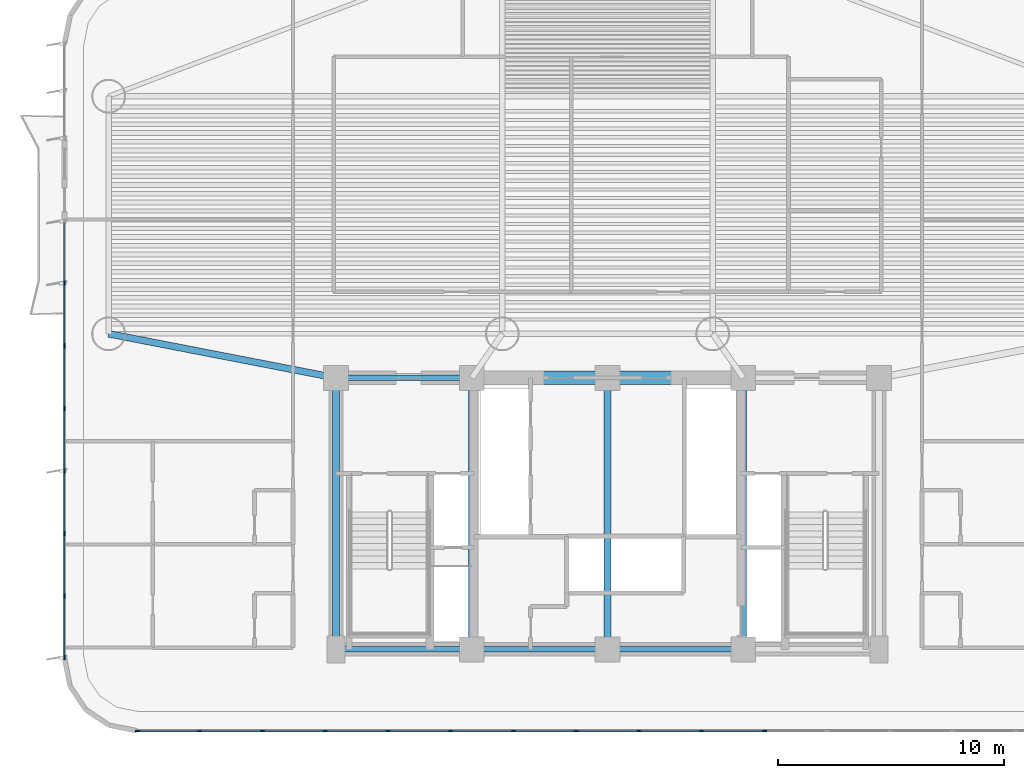
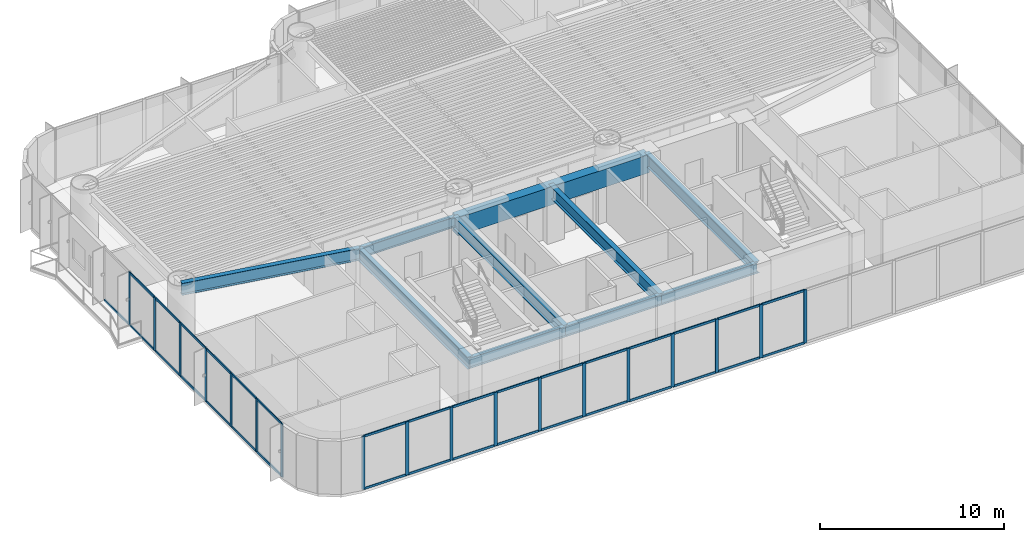
# One storey, part 2 of 17: 51 members, 10 beams, 2 elements without a shape of their own.
"""IFC4 building model written with IfcOpenShell, lengths in metres."""

from ifc_helpers import new_model, si_unit, direction, frame, origin, origin_2d, place, context, subcontext, project, spatial, rectangle, i_section, extrude, source, transform, mapped, material, layer, layer_set, material_profile, profile_set, type_object, element, aggregate, save


model = new_model("IFC4")

# Units and contexts
model_context = context("Model", 3, precision=1e-05, world=origin(), true_north=direction((0.0, 1.0)))
body_context = subcontext(model_context, "Body", "Model", "MODEL_VIEW")
ifc_project = project(units=[si_unit("LENGTHUNIT", "METRE"), si_unit("AREAUNIT", "SQUARE_METRE"), si_unit("VOLUMEUNIT", "CUBIC_METRE"), si_unit("PLANEANGLEUNIT", "RADIAN"), si_unit("MASSUNIT", "GRAM", prefix="KILO")], contexts=[model_context])

# Site, building, storey
site_placement = place(None, origin())
site = spatial("IfcSite", under=ifc_project, at=site_placement, CompositionType="ELEMENT")
building_placement = place(site_placement, origin())
building = spatial("IfcBuilding", under=site, at=building_placement, Name="Brelvock Crest Care Tower", CompositionType="ELEMENT")
storey_placement = place(building_placement, frame((0.0, 0.0, 53.4599609375)))
storey = spatial("IfcBuildingStorey", under=building, at=storey_placement, Name="L13", CompositionType="ELEMENT", Elevation=53.4599609375)

# Beams
ifc_material_1 = material(Name="Concrete S80 (80 MPa)", Category="concrete")
ifc_material_profile_1 = material_profile(ifc_material_1, rectangle(XDim=0.60009765625, YDim=1.199951171875, at=origin_2d()), Name="RC600x1200")
ifc_profile_set_1 = profile_set([ifc_material_profile_1], Name="Concrete S80 (80 MPa)")
beam_type_1 = type_object("IfcBeamType", Name="BM-LN1", PredefinedType="LINTEL", material=ifc_profile_set_1)
shared_shape_1 = source(origin(), body_context, "Body", "SweptSolid", [
    extrude(rectangle(XDim=0.60009765625, YDim=1.199951171875, at=origin_2d()), origin(), (0.0, 0.0, 1.0), 12.0),
])
beam_1_placement = place(storey_placement, frame((30.0, 18.0, 2.929931640625), z_axis=(1.0, 0.0, 0.0), x_axis=(0.0, 1.0, 0.0)))
element("IfcBeam", 1, at=beam_1_placement, inside=storey, type_object=beam_type_1, Name="L13 Core Coupling Lintel Beam", PredefinedType="LINTEL", context=body_context, shape_type="MappedRepresentation", body=[
    mapped(shared_shape_1, transform((0.0, 0.0, 0.0), x_axis=(1.0, 0.0, 0.0), y_axis=(0.0, 1.0, 0.0), z_axis=(0.0, 0.0, 1.0), scale=1.0)),
])
ifc_material_2 = material(Name="Steel Grade 350", Category="steel")
ifc_material_profile_2 = material_profile(ifc_material_2, i_section(OverallWidth=0.25, OverallDepth=0.699951171875, WebThickness=0.011962890625, FlangeThickness=0.02001953125, at=origin_2d()), Name="700WB150")
ifc_profile_set_2 = profile_set([ifc_material_profile_2], Name="Steel Grade 350")
beam_type_2 = type_object("IfcBeamType", Name="BM-G4", PredefinedType="BEAM", material=ifc_profile_set_2)
shared_shape_2 = source(origin(), body_context, "Body", "SweptSolid", [
    extrude(i_section(OverallWidth=0.25, OverallDepth=0.699951171875, WebThickness=0.011962890625, FlangeThickness=0.02001953125, at=origin_2d()), origin(), (0.0, 0.0, 1.0), 6.0),
])
for number, where, z_axis, x_axis, name in (
    (2, (24.0, 6.0, 3.179931640625), (1.0, 0.0, 0.0), (0.0, 1.0, 0.0), "BM-CORES-L13-1"),
    (3, (24.0, 18.0, 3.179931640625), (1.0, 0.0, 0.0), (0.0, 1.0, 0.0), "BM-COREN-L13-1"),
    (4, (30.0, 6.0, 3.179931640625), (1.0, 0.0, 0.0), (0.0, 1.0, 0.0), "BM-CORES-L13-2"),
    (5, (36.0, 6.0, 3.179931640625), (1.0, 0.0, 0.0), (0.0, 1.0, 0.0), "BM-CORES-L13-3"),
):
    element("IfcBeam", number, at=place(storey_placement, frame(where, z_axis=z_axis, x_axis=x_axis)), inside=storey, type_object=beam_type_2, Name=name, PredefinedType="BEAM", context=body_context, shape_type="MappedRepresentation", body=[
        mapped(shared_shape_2, transform((0.0, 0.0, 0.0), x_axis=(1.0, 0.0, 0.0), y_axis=(0.0, 1.0, 0.0), z_axis=(0.0, 0.0, 1.0), scale=1.0)),
    ])
ifc_material_profile_3 = material_profile(ifc_material_2, i_section(OverallWidth=0.300048828125, OverallDepth=0.800048828125, WebThickness=0.013916015625, FlangeThickness=0.02197265625, at=origin_2d()), Name="800WB192")
ifc_profile_set_3 = profile_set([ifc_material_profile_3], Name="Steel Grade 350")
beam_type_3 = type_object("IfcBeamType", Name="BM-G5", PredefinedType="BEAM", material=ifc_profile_set_3)
shared_shape_3 = source(origin(), body_context, "Body", "SweptSolid", [
    extrude(i_section(OverallWidth=0.300048828125, OverallDepth=0.800048828125, WebThickness=0.013916015625, FlangeThickness=0.02197265625, at=origin_2d()), origin(), (0.0, 0.0, 1.0), 12.0),
])
for number, where, z_axis, x_axis, name in (
    (6, (24.0, 6.0, 3.130126953125), (0.0, 1.0, 0.0), (-1.0, 0.0, 0.0), "BM-COREX-L13-1"),
    (7, (30.0, 6.0, 3.130126953125), (0.0, 1.0, 0.0), (-1.0, 0.0, 0.0), "BM-COREX-L13-2"),
    (8, (36.0, 6.0, 3.130126953125), (0.0, 1.0, 0.0), (-1.0, 0.0, 0.0), "BM-COREX-L13-3"),
    (9, (42.0, 6.0, 3.130126953125), (0.0, 1.0, 0.0), (-1.0, 0.0, 0.0), "BM-COREX-L13-4"),
):
    element("IfcBeam", number, at=place(storey_placement, frame(where, z_axis=z_axis, x_axis=x_axis)), inside=storey, type_object=beam_type_3, Name=name, PredefinedType="BEAM", context=body_context, shape_type="MappedRepresentation", body=[
        mapped(shared_shape_3, transform((0.0, 0.0, 0.0), x_axis=(1.0, 0.0, 0.0), y_axis=(0.0, 1.0, 0.0), z_axis=(0.0, 0.0, 1.0), scale=1.0)),
    ])
shared_shape_4 = source(origin(), body_context, "Body", "SweptSolid", [
    extrude(i_section(OverallWidth=0.300048828125, OverallDepth=0.800048828125, WebThickness=0.013916015625, FlangeThickness=0.02197265625, at=origin_2d()), origin(), (0.0, 0.0, 1.0), 10.237548828125),
])
beam_2_placement = place(storey_placement, frame((24.0, 18.0, 3.130126953125), z_axis=(-0.981692632568, 0.190471979991, 0.0), x_axis=(-0.190471979991, -0.981692632568, 0.0)))
element("IfcBeam", 10, at=beam_2_placement, inside=storey, type_object=beam_type_3, Name="BM-THRO-W-L13", PredefinedType="BEAM", context=body_context, shape_type="MappedRepresentation", body=[
    mapped(shared_shape_4, transform((0.0, 0.0, 0.0), x_axis=(1.0, 0.0, 0.0), y_axis=(0.0, 1.0, 0.0), z_axis=(0.0, 0.0, 1.0), scale=1.0)),
])

# Curtain wall, members
ifc_material_3 = material(Name="Dark Glass Double Glazed Low-E", Category="glass")
ifc_layer = layer(ifc_material_3, 0.195068359375, Name="CWS-2")
ifc_layer_set = layer_set([ifc_layer], Name="Dark Glass Double Glazed Low-E")
curtain_wall_type = type_object("IfcCurtainWallType", Name="CWS-2", PredefinedType="NOTDEFINED", material=ifc_layer_set)
curtain_wall_1_placement = place(storey_placement, origin())
curtain_wall_1 = element("IfcCurtainWall", 11, at=curtain_wall_1_placement, inside=storey, type_object=curtain_wall_type, Name="L13 Curtain Wall E08", PredefinedType="NOTDEFINED")
ifc_material_4 = material(Name="Aluminium 6063-T6", Category="aluminium")
ifc_material_profile_4 = material_profile(ifc_material_4, rectangle(XDim=0.06494140625, YDim=0.199951171875, at=origin_2d()), Name="ALU65x200")
ifc_profile_set_4 = profile_set([ifc_material_profile_4], Name="Aluminium 6063-T6")
member_type_1 = type_object("IfcMemberType", Name="CWM-1", PredefinedType="MULLION", material=ifc_profile_set_4)
shared_shape_5 = source(origin(), body_context, "Body", "SweptSolid", [
    extrude(rectangle(XDim=0.06494140625, YDim=0.199951171875, at=origin_2d()), origin(), (0.0, 0.0, 1.0), 3.530029296875),
])
member_1_placement = place(storey_placement, frame((42.933349609375, 2.39990234375, 0.0), z_axis=(0.0, 0.0, 1.0), x_axis=(0.0, -1.0, 0.0)))
member_1 = element("IfcMember", 12, at=member_1_placement, type_object=member_type_1, Name="CW-2 mullion 6", PredefinedType="MULLION", context=body_context, shape_type="MappedRepresentation", body=[
    mapped(shared_shape_5, transform((0.0, 0.0, 0.0), x_axis=(1.0, 0.0, 0.0), y_axis=(0.0, 1.0, 0.0), z_axis=(0.0, 0.0, 1.0), scale=1.0)),
])
member_2_placement = place(storey_placement, frame((40.159912109375, 2.39990234375, 0.0), z_axis=(0.0, 0.0, 1.0), x_axis=(0.0, -1.0, 0.0)))
member_2 = element("IfcMember", 13, at=member_2_placement, type_object=member_type_1, Name="CW-2 mullion 7", PredefinedType="MULLION", context=body_context, shape_type="MappedRepresentation", body=[
    mapped(shared_shape_5, transform((0.0, 0.0, 0.0), x_axis=(1.0, 0.0, 0.0), y_axis=(0.0, 1.0, 0.0), z_axis=(0.0, 0.0, 1.0), scale=1.0)),
])
member_3_placement = place(storey_placement, frame((37.38671875, 2.39990234375, 0.0), z_axis=(0.0, 0.0, 1.0), x_axis=(0.0, -1.0, 0.0)))
member_3 = element("IfcMember", 14, at=member_3_placement, type_object=member_type_1, Name="CW-2 mullion 8", PredefinedType="MULLION", context=body_context, shape_type="MappedRepresentation", body=[
    mapped(shared_shape_5, transform((0.0, 0.0, 0.0), x_axis=(1.0, 0.0, 0.0), y_axis=(0.0, 1.0, 0.0), z_axis=(0.0, 0.0, 1.0), scale=1.0)),
])
member_4_placement = place(storey_placement, frame((34.61328125, 2.39990234375, 0.0), z_axis=(0.0, 0.0, 1.0), x_axis=(0.0, -1.0, 0.0)))
member_4 = element("IfcMember", 15, at=member_4_placement, type_object=member_type_1, Name="CW-2 mullion 9", PredefinedType="MULLION", context=body_context, shape_type="MappedRepresentation", body=[
    mapped(shared_shape_5, transform((0.0, 0.0, 0.0), x_axis=(1.0, 0.0, 0.0), y_axis=(0.0, 1.0, 0.0), z_axis=(0.0, 0.0, 1.0), scale=1.0)),
])
member_5_placement = place(storey_placement, frame((31.840087890625, 2.39990234375, 0.0), z_axis=(0.0, 0.0, 1.0), x_axis=(0.0, -1.0, 0.0)))
member_5 = element("IfcMember", 16, at=member_5_placement, type_object=member_type_1, Name="CW-2 mullion 10", PredefinedType="MULLION", context=body_context, shape_type="MappedRepresentation", body=[
    mapped(shared_shape_5, transform((0.0, 0.0, 0.0), x_axis=(1.0, 0.0, 0.0), y_axis=(0.0, 1.0, 0.0), z_axis=(0.0, 0.0, 1.0), scale=1.0)),
])
member_6_placement = place(storey_placement, frame((29.066650390625, 2.39990234375, 0.0), z_axis=(0.0, 0.0, 1.0), x_axis=(0.0, -1.0, 0.0)))
member_6 = element("IfcMember", 17, at=member_6_placement, type_object=member_type_1, Name="CW-2 mullion 11", PredefinedType="MULLION", context=body_context, shape_type="MappedRepresentation", body=[
    mapped(shared_shape_5, transform((0.0, 0.0, 0.0), x_axis=(1.0, 0.0, 0.0), y_axis=(0.0, 1.0, 0.0), z_axis=(0.0, 0.0, 1.0), scale=1.0)),
])
member_7_placement = place(storey_placement, frame((26.293212890625, 2.39990234375, 0.0), z_axis=(0.0, 0.0, 1.0), x_axis=(0.0, -1.0, 0.0)))
member_7 = element("IfcMember", 18, at=member_7_placement, type_object=member_type_1, Name="CW-2 mullion 12", PredefinedType="MULLION", context=body_context, shape_type="MappedRepresentation", body=[
    mapped(shared_shape_5, transform((0.0, 0.0, 0.0), x_axis=(1.0, 0.0, 0.0), y_axis=(0.0, 1.0, 0.0), z_axis=(0.0, 0.0, 1.0), scale=1.0)),
])
member_8_placement = place(storey_placement, frame((23.52001953125, 2.39990234375, 0.0), z_axis=(0.0, 0.0, 1.0), x_axis=(0.0, -1.0, 0.0)))
member_8 = element("IfcMember", 19, at=member_8_placement, type_object=member_type_1, Name="CW-2 mullion 13", PredefinedType="MULLION", context=body_context, shape_type="MappedRepresentation", body=[
    mapped(shared_shape_5, transform((0.0, 0.0, 0.0), x_axis=(1.0, 0.0, 0.0), y_axis=(0.0, 1.0, 0.0), z_axis=(0.0, 0.0, 1.0), scale=1.0)),
])
member_9_placement = place(storey_placement, frame((20.74658203125, 2.39990234375, 0.0), z_axis=(0.0, 0.0, 1.0), x_axis=(0.0, -1.0, 0.0)))
member_9 = element("IfcMember", 20, at=member_9_placement, type_object=member_type_1, Name="CW-2 mullion 14", PredefinedType="MULLION", context=body_context, shape_type="MappedRepresentation", body=[
    mapped(shared_shape_5, transform((0.0, 0.0, 0.0), x_axis=(1.0, 0.0, 0.0), y_axis=(0.0, 1.0, 0.0), z_axis=(0.0, 0.0, 1.0), scale=1.0)),
])
member_10_placement = place(storey_placement, frame((17.973388671875, 2.39990234375, 0.0), z_axis=(0.0, 0.0, 1.0), x_axis=(0.0, -1.0, 0.0)))
member_10 = element("IfcMember", 21, at=member_10_placement, type_object=member_type_1, Name="CW-2 mullion 15", PredefinedType="MULLION", context=body_context, shape_type="MappedRepresentation", body=[
    mapped(shared_shape_5, transform((0.0, 0.0, 0.0), x_axis=(1.0, 0.0, 0.0), y_axis=(0.0, 1.0, 0.0), z_axis=(0.0, 0.0, 1.0), scale=1.0)),
])
member_11_placement = place(storey_placement, frame((15.232421875, 2.39990234375, 0.0), z_axis=(0.0, 0.0, 1.0), x_axis=(0.0, -1.0, 0.0)))
member_11 = element("IfcMember", 22, at=member_11_placement, type_object=member_type_1, Name="CW-2 mullion 16", PredefinedType="MULLION", context=body_context, shape_type="MappedRepresentation", body=[
    mapped(shared_shape_5, transform((0.0, 0.0, 0.0), x_axis=(1.0, 0.0, 0.0), y_axis=(0.0, 1.0, 0.0), z_axis=(0.0, 0.0, 1.0), scale=1.0)),
])

curtain_wall_2_placement = place(storey_placement, origin())
curtain_wall_2 = element("IfcCurtainWall", 23, at=curtain_wall_2_placement, inside=storey, type_object=curtain_wall_type, Name="L13 Curtain Wall E13A", PredefinedType="NOTDEFINED")
member_12_placement = place(storey_placement, frame((12.0, 5.632568359375, 0.0), z_axis=(0.0, 0.0, 1.0), x_axis=(-1.0, 0.0, 0.0)))
member_12 = element("IfcMember", 24, at=member_12_placement, type_object=member_type_1, Name="CW-2 mullion 1", PredefinedType="MULLION", context=body_context, shape_type="MappedRepresentation", body=[
    mapped(shared_shape_5, transform((0.0, 0.0, 0.0), x_axis=(1.0, 0.0, 0.0), y_axis=(0.0, 1.0, 0.0), z_axis=(0.0, 0.0, 1.0), scale=1.0)),
])
member_13_placement = place(storey_placement, frame((12.0, 8.3642578125, 0.0), z_axis=(0.0, 0.0, 1.0), x_axis=(-1.0, 0.0, 0.0)))
member_13 = element("IfcMember", 25, at=member_13_placement, type_object=member_type_1, Name="CW-2 mullion 2", PredefinedType="MULLION", context=body_context, shape_type="MappedRepresentation", body=[
    mapped(shared_shape_5, transform((0.0, 0.0, 0.0), x_axis=(1.0, 0.0, 0.0), y_axis=(0.0, 1.0, 0.0), z_axis=(0.0, 0.0, 1.0), scale=1.0)),
])
member_14_placement = place(storey_placement, frame((12.0, 11.128662109375, 0.0), z_axis=(0.0, 0.0, 1.0), x_axis=(-1.0, 0.0, 0.0)))
member_14 = element("IfcMember", 26, at=member_14_placement, type_object=member_type_1, Name="CW-2 mullion 3", PredefinedType="MULLION", context=body_context, shape_type="MappedRepresentation", body=[
    mapped(shared_shape_5, transform((0.0, 0.0, 0.0), x_axis=(1.0, 0.0, 0.0), y_axis=(0.0, 1.0, 0.0), z_axis=(0.0, 0.0, 1.0), scale=1.0)),
])
member_15_placement = place(storey_placement, frame((12.0, 13.892822265625, 0.0), z_axis=(0.0, 0.0, 1.0), x_axis=(-1.0, 0.0, 0.0)))
member_15 = element("IfcMember", 27, at=member_15_placement, type_object=member_type_1, Name="CW-2 mullion 4", PredefinedType="MULLION", context=body_context, shape_type="MappedRepresentation", body=[
    mapped(shared_shape_5, transform((0.0, 0.0, 0.0), x_axis=(1.0, 0.0, 0.0), y_axis=(0.0, 1.0, 0.0), z_axis=(0.0, 0.0, 1.0), scale=1.0)),
])
member_16_placement = place(storey_placement, frame((12.0, 16.6572265625, 0.0), z_axis=(0.0, 0.0, 1.0), x_axis=(-1.0, 0.0, 0.0)))
member_16 = element("IfcMember", 28, at=member_16_placement, type_object=member_type_1, Name="CW-2 mullion 5", PredefinedType="MULLION", context=body_context, shape_type="MappedRepresentation", body=[
    mapped(shared_shape_5, transform((0.0, 0.0, 0.0), x_axis=(1.0, 0.0, 0.0), y_axis=(0.0, 1.0, 0.0), z_axis=(0.0, 0.0, 1.0), scale=1.0)),
])
member_17_placement = place(storey_placement, frame((12.0, 19.42138671875, 0.0), z_axis=(0.0, 0.0, 1.0), x_axis=(-1.0, 0.0, 0.0)))
member_17 = element("IfcMember", 29, at=member_17_placement, type_object=member_type_1, Name="CW-2 mullion 6", PredefinedType="MULLION", context=body_context, shape_type="MappedRepresentation", body=[
    mapped(shared_shape_5, transform((0.0, 0.0, 0.0), x_axis=(1.0, 0.0, 0.0), y_axis=(0.0, 1.0, 0.0), z_axis=(0.0, 0.0, 1.0), scale=1.0)),
])
member_18_placement = place(storey_placement, frame((12.0, 22.185791015625, 0.0), z_axis=(0.0, 0.0, 1.0), x_axis=(-1.0, 0.0, 0.0)))
member_18 = element("IfcMember", 30, at=member_18_placement, type_object=member_type_1, Name="CW-2 mullion 7", PredefinedType="MULLION", context=body_context, shape_type="MappedRepresentation", body=[
    mapped(shared_shape_5, transform((0.0, 0.0, 0.0), x_axis=(1.0, 0.0, 0.0), y_axis=(0.0, 1.0, 0.0), z_axis=(0.0, 0.0, 1.0), scale=1.0)),
])

# Member
ifc_material_profile_5 = material_profile(ifc_material_4, rectangle(XDim=0.06494140625, YDim=0.14990234375, at=origin_2d()), Name="ALU65x150")
ifc_profile_set_5 = profile_set([ifc_material_profile_5], Name="Aluminium 6063-T6")
member_type_2 = type_object("IfcMemberType", Name="CWT-1", PredefinedType="USERDEFINED", material=ifc_profile_set_5)
shared_shape_6 = source(origin(), body_context, "Body", "SweptSolid", [
    extrude(rectangle(XDim=0.06494140625, YDim=0.14990234375, at=origin_2d()), origin(), (0.0, 0.0, 1.0), 2.676025390625),
])
member_19_placement = place(storey_placement, frame((17.94091796875, 2.39990234375, 0.032470703125), z_axis=(-1.0, 0.0, 0.0), x_axis=(0.0, -1.0, 0.0)))
member_19 = element("IfcMember", 31, at=member_19_placement, type_object=member_type_2, Name="CW-2 transom 15.1", ObjectType="TRANSOM", PredefinedType="USERDEFINED", context=body_context, shape_type="MappedRepresentation", body=[
    mapped(shared_shape_6, transform((0.0, 0.0, 0.0), x_axis=(1.0, 0.0, 0.0), y_axis=(0.0, 1.0, 0.0), z_axis=(0.0, 0.0, 1.0), scale=1.0)),
])

member_20_placement = place(storey_placement, frame((17.94091796875, 2.39990234375, 3.49755859375), z_axis=(-1.0, 0.0, 0.0), x_axis=(0.0, -1.0, 0.0)))
member_20 = element("IfcMember", 32, at=member_20_placement, type_object=member_type_2, Name="CW-2 transom 15.2", ObjectType="TRANSOM", PredefinedType="USERDEFINED", context=body_context, shape_type="MappedRepresentation", body=[
    mapped(shared_shape_6, transform((0.0, 0.0, 0.0), x_axis=(1.0, 0.0, 0.0), y_axis=(0.0, 1.0, 0.0), z_axis=(0.0, 0.0, 1.0), scale=1.0)),
])

shared_shape_7 = source(origin(), body_context, "Body", "SweptSolid", [
    extrude(rectangle(XDim=0.06494140625, YDim=0.14990234375, at=origin_2d()), origin(), (0.0, 0.0, 1.0), 2.708251953125),
])
member_21_placement = place(storey_placement, frame((40.12744140625, 2.39990234375, 0.032470703125), z_axis=(-1.0, 0.0, 0.0), x_axis=(0.0, -1.0, 0.0)))
member_21 = element("IfcMember", 33, at=member_21_placement, type_object=member_type_2, Name="CW-2 transom 7.1", ObjectType="TRANSOM", PredefinedType="USERDEFINED", context=body_context, shape_type="MappedRepresentation", body=[
    mapped(shared_shape_7, transform((0.0, 0.0, 0.0), x_axis=(1.0, 0.0, 0.0), y_axis=(0.0, 1.0, 0.0), z_axis=(0.0, 0.0, 1.0), scale=1.0)),
])

member_22_placement = place(storey_placement, frame((40.12744140625, 2.39990234375, 3.49755859375), z_axis=(-1.0, 0.0, 0.0), x_axis=(0.0, -1.0, 0.0)))
member_22 = element("IfcMember", 34, at=member_22_placement, type_object=member_type_2, Name="CW-2 transom 7.2", ObjectType="TRANSOM", PredefinedType="USERDEFINED", context=body_context, shape_type="MappedRepresentation", body=[
    mapped(shared_shape_7, transform((0.0, 0.0, 0.0), x_axis=(1.0, 0.0, 0.0), y_axis=(0.0, 1.0, 0.0), z_axis=(0.0, 0.0, 1.0), scale=1.0)),
])

member_23_placement = place(storey_placement, frame((34.580810546875, 2.39990234375, 0.032470703125), z_axis=(-1.0, 0.0, 0.0), x_axis=(0.0, -1.0, 0.0)))
member_23 = element("IfcMember", 35, at=member_23_placement, type_object=member_type_2, Name="CW-2 transom 9.1", ObjectType="TRANSOM", PredefinedType="USERDEFINED", context=body_context, shape_type="MappedRepresentation", body=[
    mapped(shared_shape_7, transform((0.0, 0.0, 0.0), x_axis=(1.0, 0.0, 0.0), y_axis=(0.0, 1.0, 0.0), z_axis=(0.0, 0.0, 1.0), scale=1.0)),
])

member_24_placement = place(storey_placement, frame((34.580810546875, 2.39990234375, 3.49755859375), z_axis=(-1.0, 0.0, 0.0), x_axis=(0.0, -1.0, 0.0)))
member_24 = element("IfcMember", 36, at=member_24_placement, type_object=member_type_2, Name="CW-2 transom 9.2", ObjectType="TRANSOM", PredefinedType="USERDEFINED", context=body_context, shape_type="MappedRepresentation", body=[
    mapped(shared_shape_7, transform((0.0, 0.0, 0.0), x_axis=(1.0, 0.0, 0.0), y_axis=(0.0, 1.0, 0.0), z_axis=(0.0, 0.0, 1.0), scale=1.0)),
])

member_25_placement = place(storey_placement, frame((29.0341796875, 2.39990234375, 0.032470703125), z_axis=(-1.0, 0.0, 0.0), x_axis=(0.0, -1.0, 0.0)))
member_25 = element("IfcMember", 37, at=member_25_placement, type_object=member_type_2, Name="CW-2 transom 11.1", ObjectType="TRANSOM", PredefinedType="USERDEFINED", context=body_context, shape_type="MappedRepresentation", body=[
    mapped(shared_shape_7, transform((0.0, 0.0, 0.0), x_axis=(1.0, 0.0, 0.0), y_axis=(0.0, 1.0, 0.0), z_axis=(0.0, 0.0, 1.0), scale=1.0)),
])

member_26_placement = place(storey_placement, frame((29.0341796875, 2.39990234375, 3.49755859375), z_axis=(-1.0, 0.0, 0.0), x_axis=(0.0, -1.0, 0.0)))
member_26 = element("IfcMember", 38, at=member_26_placement, type_object=member_type_2, Name="CW-2 transom 11.2", ObjectType="TRANSOM", PredefinedType="USERDEFINED", context=body_context, shape_type="MappedRepresentation", body=[
    mapped(shared_shape_7, transform((0.0, 0.0, 0.0), x_axis=(1.0, 0.0, 0.0), y_axis=(0.0, 1.0, 0.0), z_axis=(0.0, 0.0, 1.0), scale=1.0)),
])

member_27_placement = place(storey_placement, frame((26.2607421875, 2.39990234375, 0.032470703125), z_axis=(-1.0, 0.0, 0.0), x_axis=(0.0, -1.0, 0.0)))
member_27 = element("IfcMember", 39, at=member_27_placement, type_object=member_type_2, Name="CW-2 transom 12.1", ObjectType="TRANSOM", PredefinedType="USERDEFINED", context=body_context, shape_type="MappedRepresentation", body=[
    mapped(shared_shape_7, transform((0.0, 0.0, 0.0), x_axis=(1.0, 0.0, 0.0), y_axis=(0.0, 1.0, 0.0), z_axis=(0.0, 0.0, 1.0), scale=1.0)),
])

member_28_placement = place(storey_placement, frame((26.2607421875, 2.39990234375, 3.49755859375), z_axis=(-1.0, 0.0, 0.0), x_axis=(0.0, -1.0, 0.0)))
member_28 = element("IfcMember", 40, at=member_28_placement, type_object=member_type_2, Name="CW-2 transom 12.2", ObjectType="TRANSOM", PredefinedType="USERDEFINED", context=body_context, shape_type="MappedRepresentation", body=[
    mapped(shared_shape_7, transform((0.0, 0.0, 0.0), x_axis=(1.0, 0.0, 0.0), y_axis=(0.0, 1.0, 0.0), z_axis=(0.0, 0.0, 1.0), scale=1.0)),
])

member_29_placement = place(storey_placement, frame((20.714111328125, 2.39990234375, 0.032470703125), z_axis=(-1.0, 0.0, 0.0), x_axis=(0.0, -1.0, 0.0)))
member_29 = element("IfcMember", 41, at=member_29_placement, type_object=member_type_2, Name="CW-2 transom 14.1", ObjectType="TRANSOM", PredefinedType="USERDEFINED", context=body_context, shape_type="MappedRepresentation", body=[
    mapped(shared_shape_7, transform((0.0, 0.0, 0.0), x_axis=(1.0, 0.0, 0.0), y_axis=(0.0, 1.0, 0.0), z_axis=(0.0, 0.0, 1.0), scale=1.0)),
])

member_30_placement = place(storey_placement, frame((20.714111328125, 2.39990234375, 3.49755859375), z_axis=(-1.0, 0.0, 0.0), x_axis=(0.0, -1.0, 0.0)))
member_30 = element("IfcMember", 42, at=member_30_placement, type_object=member_type_2, Name="CW-2 transom 14.2", ObjectType="TRANSOM", PredefinedType="USERDEFINED", context=body_context, shape_type="MappedRepresentation", body=[
    mapped(shared_shape_7, transform((0.0, 0.0, 0.0), x_axis=(1.0, 0.0, 0.0), y_axis=(0.0, 1.0, 0.0), z_axis=(0.0, 0.0, 1.0), scale=1.0)),
])

shared_shape_8 = source(origin(), body_context, "Body", "SweptSolid", [
    extrude(rectangle(XDim=0.06494140625, YDim=0.14990234375, at=origin_2d()), origin(), (0.0, 0.0, 1.0), 2.70849609375),
])
member_31_placement = place(storey_placement, frame((42.90087890625, 2.39990234375, 0.032470703125), z_axis=(-1.0, 0.0, 0.0), x_axis=(0.0, -1.0, 0.0)))
member_31 = element("IfcMember", 43, at=member_31_placement, type_object=member_type_2, Name="CW-2 transom 6.1", ObjectType="TRANSOM", PredefinedType="USERDEFINED", context=body_context, shape_type="MappedRepresentation", body=[
    mapped(shared_shape_8, transform((0.0, 0.0, 0.0), x_axis=(1.0, 0.0, 0.0), y_axis=(0.0, 1.0, 0.0), z_axis=(0.0, 0.0, 1.0), scale=1.0)),
])

member_32_placement = place(storey_placement, frame((42.90087890625, 2.39990234375, 3.49755859375), z_axis=(-1.0, 0.0, 0.0), x_axis=(0.0, -1.0, 0.0)))
member_32 = element("IfcMember", 44, at=member_32_placement, type_object=member_type_2, Name="CW-2 transom 6.2", ObjectType="TRANSOM", PredefinedType="USERDEFINED", context=body_context, shape_type="MappedRepresentation", body=[
    mapped(shared_shape_8, transform((0.0, 0.0, 0.0), x_axis=(1.0, 0.0, 0.0), y_axis=(0.0, 1.0, 0.0), z_axis=(0.0, 0.0, 1.0), scale=1.0)),
])

member_33_placement = place(storey_placement, frame((37.354248046875, 2.39990234375, 0.032470703125), z_axis=(-1.0, 0.0, 0.0), x_axis=(0.0, -1.0, 0.0)))
member_33 = element("IfcMember", 45, at=member_33_placement, type_object=member_type_2, Name="CW-2 transom 8.1", ObjectType="TRANSOM", PredefinedType="USERDEFINED", context=body_context, shape_type="MappedRepresentation", body=[
    mapped(shared_shape_8, transform((0.0, 0.0, 0.0), x_axis=(1.0, 0.0, 0.0), y_axis=(0.0, 1.0, 0.0), z_axis=(0.0, 0.0, 1.0), scale=1.0)),
])

member_34_placement = place(storey_placement, frame((37.354248046875, 2.39990234375, 3.49755859375), z_axis=(-1.0, 0.0, 0.0), x_axis=(0.0, -1.0, 0.0)))
member_34 = element("IfcMember", 46, at=member_34_placement, type_object=member_type_2, Name="CW-2 transom 8.2", ObjectType="TRANSOM", PredefinedType="USERDEFINED", context=body_context, shape_type="MappedRepresentation", body=[
    mapped(shared_shape_8, transform((0.0, 0.0, 0.0), x_axis=(1.0, 0.0, 0.0), y_axis=(0.0, 1.0, 0.0), z_axis=(0.0, 0.0, 1.0), scale=1.0)),
])

member_35_placement = place(storey_placement, frame((31.8076171875, 2.39990234375, 0.032470703125), z_axis=(-1.0, 0.0, 0.0), x_axis=(0.0, -1.0, 0.0)))
member_35 = element("IfcMember", 47, at=member_35_placement, type_object=member_type_2, Name="CW-2 transom 10.1", ObjectType="TRANSOM", PredefinedType="USERDEFINED", context=body_context, shape_type="MappedRepresentation", body=[
    mapped(shared_shape_8, transform((0.0, 0.0, 0.0), x_axis=(1.0, 0.0, 0.0), y_axis=(0.0, 1.0, 0.0), z_axis=(0.0, 0.0, 1.0), scale=1.0)),
])

member_36_placement = place(storey_placement, frame((31.8076171875, 2.39990234375, 3.49755859375), z_axis=(-1.0, 0.0, 0.0), x_axis=(0.0, -1.0, 0.0)))
member_36 = element("IfcMember", 48, at=member_36_placement, type_object=member_type_2, Name="CW-2 transom 10.2", ObjectType="TRANSOM", PredefinedType="USERDEFINED", context=body_context, shape_type="MappedRepresentation", body=[
    mapped(shared_shape_8, transform((0.0, 0.0, 0.0), x_axis=(1.0, 0.0, 0.0), y_axis=(0.0, 1.0, 0.0), z_axis=(0.0, 0.0, 1.0), scale=1.0)),
])

member_37_placement = place(storey_placement, frame((23.487548828125, 2.39990234375, 0.032470703125), z_axis=(-1.0, 0.0, 0.0), x_axis=(0.0, -1.0, 0.0)))
member_37 = element("IfcMember", 49, at=member_37_placement, type_object=member_type_2, Name="CW-2 transom 13.1", ObjectType="TRANSOM", PredefinedType="USERDEFINED", context=body_context, shape_type="MappedRepresentation", body=[
    mapped(shared_shape_8, transform((0.0, 0.0, 0.0), x_axis=(1.0, 0.0, 0.0), y_axis=(0.0, 1.0, 0.0), z_axis=(0.0, 0.0, 1.0), scale=1.0)),
])

member_38_placement = place(storey_placement, frame((23.487548828125, 2.39990234375, 3.49755859375), z_axis=(-1.0, 0.0, 0.0), x_axis=(0.0, -1.0, 0.0)))
member_38 = element("IfcMember", 50, at=member_38_placement, type_object=member_type_2, Name="CW-2 transom 13.2", ObjectType="TRANSOM", PredefinedType="USERDEFINED", context=body_context, shape_type="MappedRepresentation", body=[
    mapped(shared_shape_8, transform((0.0, 0.0, 0.0), x_axis=(1.0, 0.0, 0.0), y_axis=(0.0, 1.0, 0.0), z_axis=(0.0, 0.0, 1.0), scale=1.0)),
])

aggregate(curtain_wall_1, [member_1, member_2, member_3, member_4, member_5, member_6, member_7, member_8, member_9, member_10, member_11, member_31, member_32, member_21, member_22, member_33, member_34, member_23, member_24, member_35, member_36, member_25, member_26, member_27, member_28, member_37, member_38, member_29, member_30, member_19, member_20])

shared_shape_9 = source(origin(), body_context, "Body", "SweptSolid", [
    extrude(rectangle(XDim=0.06494140625, YDim=0.14990234375, at=origin_2d()), origin(), (0.0, 0.0, 1.0), 2.666748046875),
])
member_39_placement = place(storey_placement, frame((12.0, 5.6650390625, 0.032470703125), z_axis=(0.0, 1.0, 0.0), x_axis=(-1.0, 0.0, 0.0)))
member_39 = element("IfcMember", 51, at=member_39_placement, type_object=member_type_2, Name="CW-2 transom 1.1", ObjectType="TRANSOM", PredefinedType="USERDEFINED", context=body_context, shape_type="MappedRepresentation", body=[
    mapped(shared_shape_9, transform((0.0, 0.0, 0.0), x_axis=(1.0, 0.0, 0.0), y_axis=(0.0, 1.0, 0.0), z_axis=(0.0, 0.0, 1.0), scale=1.0)),
])

member_40_placement = place(storey_placement, frame((12.0, 5.6650390625, 3.49755859375), z_axis=(0.0, 1.0, 0.0), x_axis=(-1.0, 0.0, 0.0)))
member_40 = element("IfcMember", 52, at=member_40_placement, type_object=member_type_2, Name="CW-2 transom 1.2", ObjectType="TRANSOM", PredefinedType="USERDEFINED", context=body_context, shape_type="MappedRepresentation", body=[
    mapped(shared_shape_9, transform((0.0, 0.0, 0.0), x_axis=(1.0, 0.0, 0.0), y_axis=(0.0, 1.0, 0.0), z_axis=(0.0, 0.0, 1.0), scale=1.0)),
])

member_41_placement = place(storey_placement, frame((12.0, 22.21826171875, 0.032470703125), z_axis=(0.0, 1.0, 0.0), x_axis=(-1.0, 0.0, 0.0)))
member_41 = element("IfcMember", 53, at=member_41_placement, type_object=member_type_2, Name="CW-2 transom 7.1", ObjectType="TRANSOM", PredefinedType="USERDEFINED", context=body_context, shape_type="MappedRepresentation", body=[
    mapped(shared_shape_9, transform((0.0, 0.0, 0.0), x_axis=(1.0, 0.0, 0.0), y_axis=(0.0, 1.0, 0.0), z_axis=(0.0, 0.0, 1.0), scale=1.0)),
])

shared_shape_10 = source(origin(), body_context, "Body", "SweptSolid", [
    extrude(rectangle(XDim=0.06494140625, YDim=0.14990234375, at=origin_2d()), origin(), (0.0, 0.0, 1.0), 2.699462890625),
])
member_42_placement = place(storey_placement, frame((12.0, 8.396728515625, 0.032470703125), z_axis=(0.0, 1.0, 0.0), x_axis=(-1.0, 0.0, 0.0)))
member_42 = element("IfcMember", 54, at=member_42_placement, type_object=member_type_2, Name="CW-2 transom 2.1", ObjectType="TRANSOM", PredefinedType="USERDEFINED", context=body_context, shape_type="MappedRepresentation", body=[
    mapped(shared_shape_10, transform((0.0, 0.0, 0.0), x_axis=(1.0, 0.0, 0.0), y_axis=(0.0, 1.0, 0.0), z_axis=(0.0, 0.0, 1.0), scale=1.0)),
])

member_43_placement = place(storey_placement, frame((12.0, 8.396728515625, 3.49755859375), z_axis=(0.0, 1.0, 0.0), x_axis=(-1.0, 0.0, 0.0)))
member_43 = element("IfcMember", 55, at=member_43_placement, type_object=member_type_2, Name="CW-2 transom 2.2", ObjectType="TRANSOM", PredefinedType="USERDEFINED", context=body_context, shape_type="MappedRepresentation", body=[
    mapped(shared_shape_10, transform((0.0, 0.0, 0.0), x_axis=(1.0, 0.0, 0.0), y_axis=(0.0, 1.0, 0.0), z_axis=(0.0, 0.0, 1.0), scale=1.0)),
])

member_44_placement = place(storey_placement, frame((12.0, 13.92529296875, 0.032470703125), z_axis=(0.0, 1.0, 0.0), x_axis=(-1.0, 0.0, 0.0)))
member_44 = element("IfcMember", 56, at=member_44_placement, type_object=member_type_2, Name="CW-2 transom 4.1", ObjectType="TRANSOM", PredefinedType="USERDEFINED", context=body_context, shape_type="MappedRepresentation", body=[
    mapped(shared_shape_10, transform((0.0, 0.0, 0.0), x_axis=(1.0, 0.0, 0.0), y_axis=(0.0, 1.0, 0.0), z_axis=(0.0, 0.0, 1.0), scale=1.0)),
])

member_45_placement = place(storey_placement, frame((12.0, 13.92529296875, 3.49755859375), z_axis=(0.0, 1.0, 0.0), x_axis=(-1.0, 0.0, 0.0)))
member_45 = element("IfcMember", 57, at=member_45_placement, type_object=member_type_2, Name="CW-2 transom 4.2", ObjectType="TRANSOM", PredefinedType="USERDEFINED", context=body_context, shape_type="MappedRepresentation", body=[
    mapped(shared_shape_10, transform((0.0, 0.0, 0.0), x_axis=(1.0, 0.0, 0.0), y_axis=(0.0, 1.0, 0.0), z_axis=(0.0, 0.0, 1.0), scale=1.0)),
])

member_46_placement = place(storey_placement, frame((12.0, 19.453857421875, 0.032470703125), z_axis=(0.0, 1.0, 0.0), x_axis=(-1.0, 0.0, 0.0)))
member_46 = element("IfcMember", 58, at=member_46_placement, type_object=member_type_2, Name="CW-2 transom 6.1", ObjectType="TRANSOM", PredefinedType="USERDEFINED", context=body_context, shape_type="MappedRepresentation", body=[
    mapped(shared_shape_10, transform((0.0, 0.0, 0.0), x_axis=(1.0, 0.0, 0.0), y_axis=(0.0, 1.0, 0.0), z_axis=(0.0, 0.0, 1.0), scale=1.0)),
])

member_47_placement = place(storey_placement, frame((12.0, 19.453857421875, 3.49755859375), z_axis=(0.0, 1.0, 0.0), x_axis=(-1.0, 0.0, 0.0)))
member_47 = element("IfcMember", 59, at=member_47_placement, type_object=member_type_2, Name="CW-2 transom 6.2", ObjectType="TRANSOM", PredefinedType="USERDEFINED", context=body_context, shape_type="MappedRepresentation", body=[
    mapped(shared_shape_10, transform((0.0, 0.0, 0.0), x_axis=(1.0, 0.0, 0.0), y_axis=(0.0, 1.0, 0.0), z_axis=(0.0, 0.0, 1.0), scale=1.0)),
])

shared_shape_11 = source(origin(), body_context, "Body", "SweptSolid", [
    extrude(rectangle(XDim=0.06494140625, YDim=0.14990234375, at=origin_2d()), origin(), (0.0, 0.0, 1.0), 2.69921875),
])
member_48_placement = place(storey_placement, frame((12.0, 11.1611328125, 0.032470703125), z_axis=(0.0, 1.0, 0.0), x_axis=(-1.0, 0.0, 0.0)))
member_48 = element("IfcMember", 60, at=member_48_placement, type_object=member_type_2, Name="CW-2 transom 3.1", ObjectType="TRANSOM", PredefinedType="USERDEFINED", context=body_context, shape_type="MappedRepresentation", body=[
    mapped(shared_shape_11, transform((0.0, 0.0, 0.0), x_axis=(1.0, 0.0, 0.0), y_axis=(0.0, 1.0, 0.0), z_axis=(0.0, 0.0, 1.0), scale=1.0)),
])

member_49_placement = place(storey_placement, frame((12.0, 11.1611328125, 3.49755859375), z_axis=(0.0, 1.0, 0.0), x_axis=(-1.0, 0.0, 0.0)))
member_49 = element("IfcMember", 61, at=member_49_placement, type_object=member_type_2, Name="CW-2 transom 3.2", ObjectType="TRANSOM", PredefinedType="USERDEFINED", context=body_context, shape_type="MappedRepresentation", body=[
    mapped(shared_shape_11, transform((0.0, 0.0, 0.0), x_axis=(1.0, 0.0, 0.0), y_axis=(0.0, 1.0, 0.0), z_axis=(0.0, 0.0, 1.0), scale=1.0)),
])

member_50_placement = place(storey_placement, frame((12.0, 16.689697265625, 0.032470703125), z_axis=(0.0, 1.0, 0.0), x_axis=(-1.0, 0.0, 0.0)))
member_50 = element("IfcMember", 62, at=member_50_placement, type_object=member_type_2, Name="CW-2 transom 5.1", ObjectType="TRANSOM", PredefinedType="USERDEFINED", context=body_context, shape_type="MappedRepresentation", body=[
    mapped(shared_shape_11, transform((0.0, 0.0, 0.0), x_axis=(1.0, 0.0, 0.0), y_axis=(0.0, 1.0, 0.0), z_axis=(0.0, 0.0, 1.0), scale=1.0)),
])

member_51_placement = place(storey_placement, frame((12.0, 16.689697265625, 3.49755859375), z_axis=(0.0, 1.0, 0.0), x_axis=(-1.0, 0.0, 0.0)))
member_51 = element("IfcMember", 63, at=member_51_placement, type_object=member_type_2, Name="CW-2 transom 5.2", ObjectType="TRANSOM", PredefinedType="USERDEFINED", context=body_context, shape_type="MappedRepresentation", body=[
    mapped(shared_shape_11, transform((0.0, 0.0, 0.0), x_axis=(1.0, 0.0, 0.0), y_axis=(0.0, 1.0, 0.0), z_axis=(0.0, 0.0, 1.0), scale=1.0)),
])

aggregate(curtain_wall_2, [member_12, member_13, member_14, member_15, member_16, member_17, member_18, member_39, member_40, member_42, member_43, member_48, member_49, member_44, member_45, member_50, member_51, member_46, member_47, member_41])

save(model, "model.ifc")
